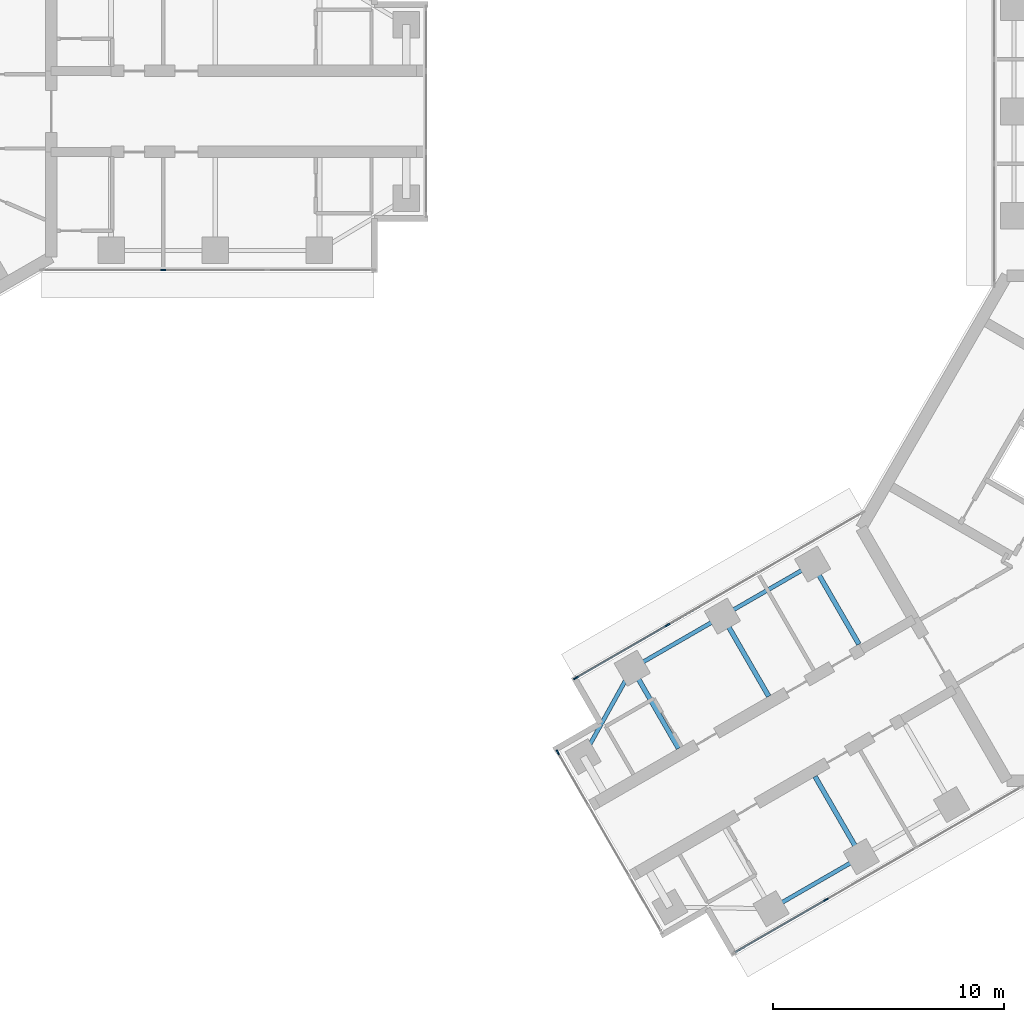
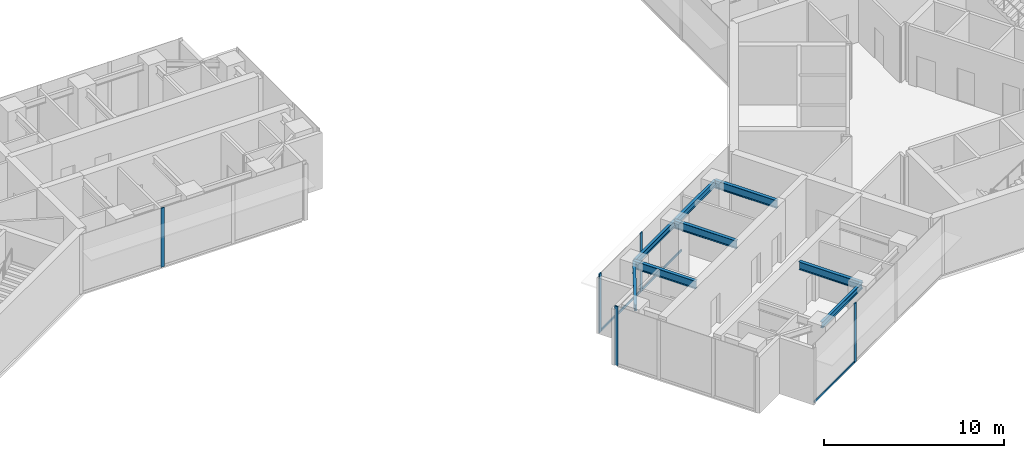
# One storey, part 3 of 17: 8 beams, 8 members, 4 elements without a shape of their own.
"""IFC4 building model written with IfcOpenShell, lengths in metres."""

from ifc_helpers import new_model, si_unit, direction, frame, origin, origin_2d, place, context, subcontext, project, spatial, rectangle, i_section, extrude, material, material_profile, profile_set, type_object, element, aggregate, save


model = new_model("IFC4")

# Units and contexts
model_context = context("Model", 3, precision=1e-05, world=origin(), true_north=direction((0.0, 1.0)))
body_context = subcontext(model_context, "Body", "Model", "MODEL_VIEW")
ifc_project = project(units=[si_unit("LENGTHUNIT", "METRE"), si_unit("AREAUNIT", "SQUARE_METRE"), si_unit("VOLUMEUNIT", "CUBIC_METRE"), si_unit("PLANEANGLEUNIT", "RADIAN"), si_unit("MASSUNIT", "GRAM", prefix="KILO")], contexts=[model_context])

# Site, building, storey
site_placement = place(None, origin())
site = spatial("IfcSite", under=ifc_project, at=site_placement, CompositionType="ELEMENT")
building_placement = place(site_placement, origin())
building = spatial("IfcBuilding", under=site, at=building_placement, Name="Upepo Twin Towers", CompositionType="ELEMENT")
storey_placement = place(building_placement, frame((0.0, 0.0, 198.5)))
storey = spatial("IfcBuildingStorey", under=building, at=storey_placement, Name="L48", CompositionType="ELEMENT", Elevation=198.5)

# Beams
ifc_material_1 = material(Name="Steel S355", Category="steel")
ifc_material_profile_1 = material_profile(ifc_material_1, i_section(OverallWidth=0.177978515625, OverallDepth=0.406494140625, WebThickness=0.0078125, FlangeThickness=0.0126953125, FilletRadius=0.01025390625, at=origin_2d()), Name="UB 406x178x60")
ifc_profile_set_1 = profile_set([ifc_material_profile_1], Name="Steel S355")
beam_type_1 = type_object("IfcBeamType", Name="Beam UB 406x178x60", PredefinedType="BEAM", material=ifc_profile_set_1)
beam_1_placement = place(storey_placement, frame((45.91162109375, -32.196044921875, 3.5966796875), z_axis=(-0.866031096941, -0.499990139034, 0.0), x_axis=(0.499990139034, -0.866031096941, 0.0)))
element("IfcBeam", 1, at=beam_1_placement, inside=storey, type_object=beam_type_1, Name="T2 edge beam BL 18.0-22.5", PredefinedType="BEAM", context=body_context, shape_type="SweptSolid", body=[
    extrude(i_section(OverallWidth=0.177978515625, OverallDepth=0.406494140625, WebThickness=0.0078125, FlangeThickness=0.0126953125, FilletRadius=0.01025390625, at=origin_2d()), origin(), (0.0, 0.0, 1.0), 4.5),
])
beam_2_placement = place(storey_placement, frame((43.80859375, -19.553955078125, 3.5966796875), z_axis=(-0.866017533419, -0.500013631625, 0.0), x_axis=(0.500013631625, -0.866017533419, 0.0)))
element("IfcBeam", 2, at=beam_2_placement, inside=storey, type_object=beam_type_1, Name="T2 edge beam BR 13.5-18.0", PredefinedType="BEAM", context=body_context, shape_type="SweptSolid", body=[
    extrude(i_section(OverallWidth=0.177978515625, OverallDepth=0.406494140625, WebThickness=0.0078125, FlangeThickness=0.0126953125, FilletRadius=0.01025390625, at=origin_2d()), origin(), (0.0, 0.0, 1.0), 4.499755859375),
])
beam_3_placement = place(storey_placement, frame((39.91162109375, -21.803955078125, 3.5966796875), z_axis=(-0.866031096941, -0.499990139034, 0.0), x_axis=(0.499990139034, -0.866031096941, 0.0)))
element("IfcBeam", 3, at=beam_3_placement, inside=storey, type_object=beam_type_1, Name="T2 edge beam BR 18.0-22.5", PredefinedType="BEAM", context=body_context, shape_type="SweptSolid", body=[
    extrude(i_section(OverallWidth=0.177978515625, OverallDepth=0.406494140625, WebThickness=0.0078125, FlangeThickness=0.0126953125, FilletRadius=0.01025390625, at=origin_2d()), origin(), (0.0, 0.0, 1.0), 4.5),
])
beam_4_placement = place(storey_placement, frame((36.014404296875, -24.053955078125, 3.5966796875), z_axis=(-0.485363242752, -0.874312600038, 0.0), x_axis=(0.874312600038, -0.485363242752, 0.0)))
element("IfcBeam", 4, at=beam_4_placement, inside=storey, type_object=beam_type_1, Name="T2 nose edge beam BR", PredefinedType="BEAM", context=body_context, shape_type="SweptSolid", body=[
    extrude(i_section(OverallWidth=0.177978515625, OverallDepth=0.406494140625, WebThickness=0.0078125, FlangeThickness=0.0126953125, FilletRadius=0.01025390625, at=origin_2d()), origin(), (0.0, 0.0, 1.0), 4.373046875),
])
ifc_material_2 = material(Name="Steel S355", Category="steel")
ifc_material_profile_2 = material_profile(ifc_material_2, i_section(OverallWidth=0.209228515625, OverallDepth=0.533203125, WebThickness=0.010009765625, FlangeThickness=0.015625, FilletRadius=0.0126953125, at=origin_2d()), Name="UB 533x210x92")
ifc_profile_set_2 = profile_set([ifc_material_profile_2], Name="Steel S355")
beam_type_2 = type_object("IfcBeamType", Name="Beam UB 533x210x92", PredefinedType="BEAM", material=ifc_profile_set_2)
for number, where, z_axis, x_axis, name in (
    (5, (45.91162109375, -32.196044921875, 3.533447265625), (-0.49999894854, 0.866026010844, 0.0), (-0.866026010844, -0.49999894854, 0.0), "T2 girder BL at 18.0"),
    (6, (43.80859375, -19.553955078125, 3.533447265625), (0.49999894854, -0.866026010844, 0.0), (0.866026010844, 0.49999894854, 0.0), "T2 girder BR at 13.5"),
    (7, (39.91162109375, -21.803955078125, 3.533447265625), (0.49999894854, -0.866026010844, 0.0), (0.866026010844, 0.49999894854, 0.0), "T2 girder BR at 18.0"),
    (8, (36.014404296875, -24.053955078125, 3.533447265625), (0.49999894854, -0.866026010844, 0.0), (0.866026010844, 0.49999894854, 0.0), "T2 girder BR at 22.5"),
):
    element("IfcBeam", number, at=place(storey_placement, frame(where, z_axis=z_axis, x_axis=x_axis)), inside=storey, type_object=beam_type_2, Name=name, PredefinedType="BEAM", context=body_context, shape_type="SweptSolid", body=[
        extrude(i_section(OverallWidth=0.209228515625, OverallDepth=0.533203125, WebThickness=0.010009765625, FlangeThickness=0.015625, FilletRadius=0.0126953125, at=origin_2d()), origin(), (0.0, 0.0, 1.0), 4.0),
    ])

# Curtain wall, member
ifc_material_3 = material(Name="Aluminium and fritted glass", Category="aluminium")
curtain_wall_type = type_object("IfcCurtainWallType", Name="Tower curtain wall TW3, fritted glass", PredefinedType="NOTDEFINED", material=ifc_material_3)
curtain_wall_1_placement = place(storey_placement, origin())
curtain_wall_1 = element("IfcCurtainWall", 9, at=curtain_wall_1_placement, inside=storey, type_object=curtain_wall_type, Name="T1 L48 wing A flank R curtain wall", PredefinedType="NOTDEFINED")
ifc_material_4 = material(Name="Aluminium mullion", Category="aluminium")
ifc_material_profile_3 = material_profile(ifc_material_4, rectangle(XDim=0.06494140625, YDim=0.22509765625, at=origin_2d()), Name="MULLION 65x225")
ifc_profile_set_3 = profile_set([ifc_material_profile_3], Name="Aluminium mullion")
member_type_1 = type_object("IfcMemberType", Name="Mullion 65x225 TW3", PredefinedType="MULLION", material=ifc_profile_set_3)
member_1_placement = place(storey_placement, frame((15.75, -6.85009765625, 0.0), z_axis=(0.0, 0.0, 1.0), x_axis=(0.0, -1.0, 0.0)))
member_1 = element("IfcMember", 10, at=member_1_placement, type_object=member_type_1, Name="T1 L48 wing A flank R curtain wall mullion 3", PredefinedType="MULLION", context=body_context, shape_type="SweptSolid", body=[
    extrude(rectangle(XDim=0.06494140625, YDim=0.22509765625, at=origin_2d()), origin(), (0.0, 0.0, 1.0), 4.0),
])
aggregate(curtain_wall_1, [member_1])

curtain_wall_2_placement = place(storey_placement, origin())
curtain_wall_2 = element("IfcCurtainWall", 11, at=curtain_wall_2_placement, inside=storey, type_object=curtain_wall_type, Name="T2 L48 wing B flank L curtain wall", PredefinedType="NOTDEFINED")
member_2_placement = place(storey_placement, frame((44.387939453125, -34.057373046875, 0.0), z_axis=(0.0, 0.0, 1.0), x_axis=(0.500000026527, -0.866025388469, 0.0)))
member_2 = element("IfcMember", 12, at=member_2_placement, type_object=member_type_1, Name="T2 L48 wing B flank L curtain wall mullion 3", PredefinedType="MULLION", context=body_context, shape_type="SweptSolid", body=[
    extrude(rectangle(XDim=0.06494140625, YDim=0.22509765625, at=origin_2d()), origin(), (0.0, 0.0, 1.0), 4.0),
])

# Curtain wall, members
curtain_wall_3_placement = place(storey_placement, origin())
curtain_wall_3 = element("IfcCurtainWall", 13, at=curtain_wall_3_placement, inside=storey, type_object=curtain_wall_type, Name="T2 L48 wing B flank R curtain wall", PredefinedType="NOTDEFINED")
member_3_placement = place(storey_placement, frame((33.58251953125, -24.4765625, 0.0), z_axis=(0.0, 0.0, 1.0), x_axis=(-0.500000026527, 0.866025388469, 0.0)))
member_3 = element("IfcMember", 14, at=member_3_placement, type_object=member_type_1, Name="T2 L48 wing B flank R curtain wall mullion 1", PredefinedType="MULLION", context=body_context, shape_type="SweptSolid", body=[
    extrude(rectangle(XDim=0.06494140625, YDim=0.22509765625, at=origin_2d()), origin(), (0.0, 0.0, 1.0), 4.0),
])
member_4_placement = place(storey_placement, frame((37.5380859375, -22.192626953125, 0.0), z_axis=(0.0, 0.0, 1.0), x_axis=(-0.500000026527, 0.866025388469, 0.0)))
member_4 = element("IfcMember", 15, at=member_4_placement, type_object=member_type_1, Name="T2 L48 wing B flank R curtain wall mullion 2", PredefinedType="MULLION", context=body_context, shape_type="SweptSolid", body=[
    extrude(rectangle(XDim=0.06494140625, YDim=0.22509765625, at=origin_2d()), origin(), (0.0, 0.0, 1.0), 4.0),
])

# Curtain wall, member
curtain_wall_4_placement = place(storey_placement, origin())
curtain_wall_4 = element("IfcCurtainWall", 16, at=curtain_wall_4_placement, inside=storey, type_object=curtain_wall_type, Name="T2 L48 wing B nose curtain wall", PredefinedType="NOTDEFINED")
member_5_placement = place(storey_placement, frame((32.796875, -27.68115234375, 0.0), z_axis=(0.0, 0.0, 1.0), x_axis=(0.866025386174, 0.500000030502, 0.0)))
member_5 = element("IfcMember", 17, at=member_5_placement, type_object=member_type_1, Name="T2 L48 wing B nose curtain wall mullion 1", PredefinedType="MULLION", context=body_context, shape_type="SweptSolid", body=[
    extrude(rectangle(XDim=0.06494140625, YDim=0.22509765625, at=origin_2d()), origin(), (0.0, 0.0, 1.0), 4.0),
])
aggregate(curtain_wall_4, [member_5])

# Member
ifc_material_5 = material(Name="Aluminium transom", Category="aluminium")
ifc_material_profile_4 = material_profile(ifc_material_5, rectangle(XDim=0.06494140625, YDim=0.14990234375, at=origin_2d()), Name="TRANSOM 65x150")
ifc_profile_set_4 = profile_set([ifc_material_profile_4], Name="Aluminium transom")
member_type_2 = type_object("IfcMemberType", Name="Transom 65x150 TW3", PredefinedType="USERDEFINED", material=ifc_profile_set_4)
member_6_placement = place(storey_placement, frame((44.35986328125, -34.073486328125, 0.074951171875), z_axis=(-0.866035699072, -0.499982167615, 0.0), x_axis=(0.499982167615, -0.866035699072, 0.0)))
member_6 = element("IfcMember", 18, at=member_6_placement, type_object=member_type_2, Name="T2 L48 wing B flank L curtain wall transom 3", ObjectType="TRANSOM", PredefinedType="USERDEFINED", context=body_context, shape_type="SweptSolid", body=[
    extrude(rectangle(XDim=0.06494140625, YDim=0.14990234375, at=origin_2d()), origin(), (0.0, 0.0, 1.0), 4.502685546875),
])

aggregate(curtain_wall_2, [member_2, member_6])

member_7_placement = place(storey_placement, frame((33.610595703125, -24.460205078125, 0.074951171875), z_axis=(0.866022143554, 0.500005646842, 0.0), x_axis=(-0.500005646842, 0.866022143554, 0.0)))
member_7 = element("IfcMember", 19, at=member_7_placement, type_object=member_type_2, Name="T2 L48 wing B flank R curtain wall transom 1", ObjectType="TRANSOM", PredefinedType="USERDEFINED", context=body_context, shape_type="SweptSolid", body=[
    extrude(rectangle(XDim=0.06494140625, YDim=0.14990234375, at=origin_2d()), origin(), (0.0, 0.0, 1.0), 4.50244140625),
])

member_8_placement = place(storey_placement, frame((37.566162109375, -22.176513671875, 0.074951171875), z_axis=(0.866022410713, 0.500005184116, 0.0), x_axis=(-0.500005184116, 0.866022410713, 0.0)))
member_8 = element("IfcMember", 20, at=member_8_placement, type_object=member_type_2, Name="T2 L48 wing B flank R curtain wall transom 2", ObjectType="TRANSOM", PredefinedType="USERDEFINED", context=body_context, shape_type="SweptSolid", body=[
    extrude(rectangle(XDim=0.06494140625, YDim=0.14990234375, at=origin_2d()), origin(), (0.0, 0.0, 1.0), 4.43505859375),
])

aggregate(curtain_wall_3, [member_3, member_4, member_7, member_8])

save(model, "model.ifc")
